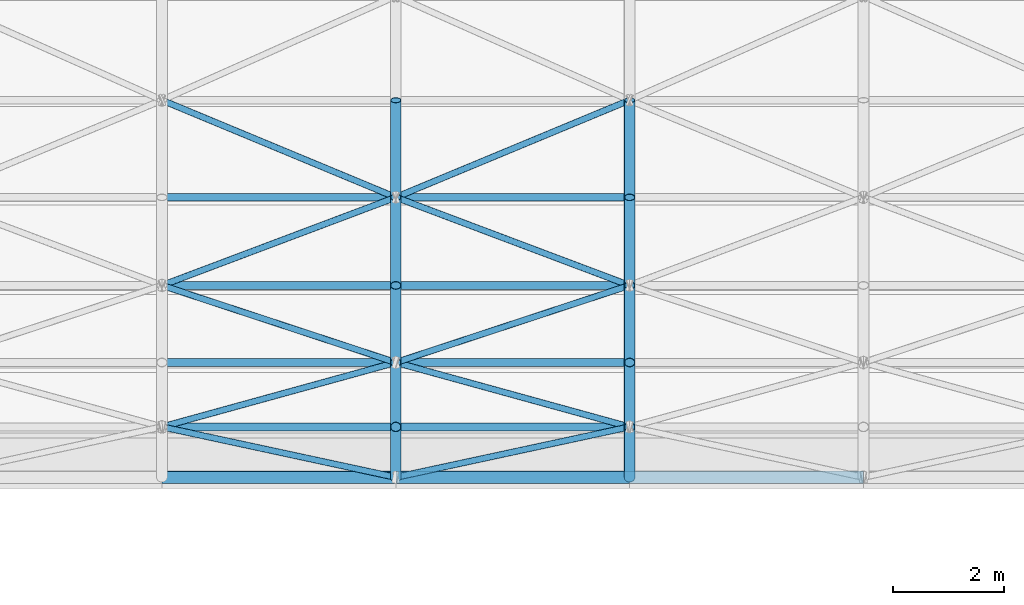
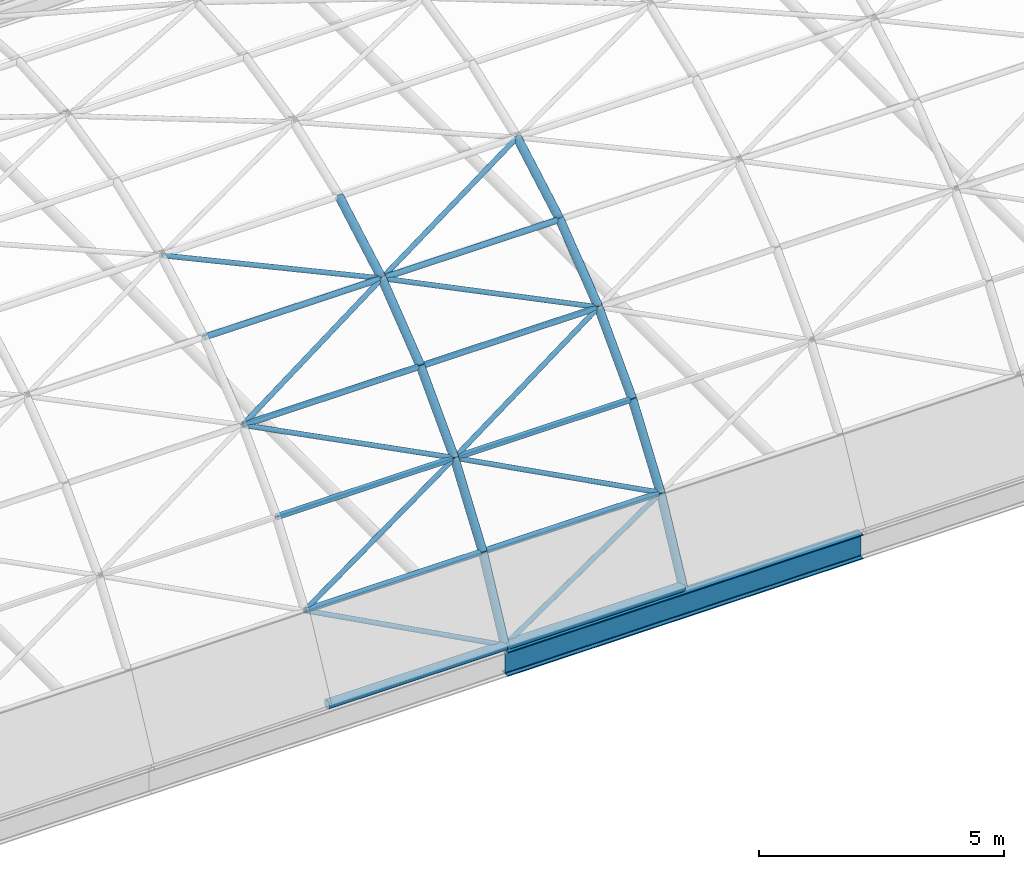
# One storey, part 28 of 121: 30 members, 1 beam.
"""IFC4 building model written with IfcOpenShell, lengths in metres."""

from ifc_helpers import new_model, si_unit, direction, frame, origin, origin_2d, place, context, subcontext, project, spatial, hollow_circle, i_section, extrude, material, material_profile, profile_set, type_object, element, save


model = new_model("IFC4")

# Units and contexts
model_context = context("Model", 3, precision=1e-05, world=origin(), true_north=direction((0.0, 1.0)))
body_context = subcontext(model_context, "Body", "Model", "MODEL_VIEW")
ifc_project = project(units=[si_unit("LENGTHUNIT", "METRE"), si_unit("AREAUNIT", "SQUARE_METRE"), si_unit("VOLUMEUNIT", "CUBIC_METRE"), si_unit("PLANEANGLEUNIT", "RADIAN"), si_unit("MASSUNIT", "GRAM", prefix="KILO")], contexts=[model_context])

# Site, building, storey
site_placement = place(None, origin())
site = spatial("IfcSite", under=ifc_project, at=site_placement, CompositionType="ELEMENT")
building_placement = place(site_placement, origin())
building = spatial("IfcBuilding", under=site, at=building_placement, Name="Ardhachandra Cancer Care Centre", CompositionType="ELEMENT")
storey_placement = place(building_placement, frame((0.0, 0.0, 9.0)))
storey = spatial("IfcBuildingStorey", under=building, at=storey_placement, Name="L02", CompositionType="ELEMENT", Elevation=9.0)

# Beam
ifc_material_1 = material(Name="Steel E350 (IS 2062)", Category="steel")
ifc_material_profile_1 = material_profile(ifc_material_1, i_section(OverallWidth=0.22412109375, OverallDepth=0.610107421875, WebThickness=0.014892578125, FlangeThickness=0.02392578125, FilletRadius=0.02392578125, at=origin_2d()), Name="NPB 600x220x154.46")
ifc_profile_set_1 = profile_set([ifc_material_profile_1], Name="Steel E350 (IS 2062)")
beam_type = type_object("IfcBeamType", Name="Beam NPB 600x220x154.46", PredefinedType="BEAM", material=ifc_profile_set_1)
beam_placement = place(storey_placement, frame((69.60009765625, 54.60009765625, -0.41455078125), z_axis=(1.0, 0.0, 0.0), x_axis=(0.0, 1.0, 0.0)))
element("IfcBeam", 1, at=beam_placement, inside=storey, type_object=beam_type, Name="Shell edge beam F8-F9", PredefinedType="BEAM", context=body_context, shape_type="SweptSolid", body=[
    extrude(i_section(OverallWidth=0.22412109375, OverallDepth=0.610107421875, WebThickness=0.014892578125, FlangeThickness=0.02392578125, FilletRadius=0.02392578125, at=origin_2d()), origin(), (0.0, 0.0, 1.0), 8.39990234375),
])

# Members
ifc_material_2 = material(Name="Steel E350 (IS 2062)", Category="steel")
ifc_material_profile_2 = material_profile(ifc_material_2, hollow_circle(Radius=0.05712890625, WallThickness=0.0048828125, at=origin_2d()), Name="CHS 114.3x5.0")
ifc_profile_set_2 = profile_set([ifc_material_profile_2], Name="Steel E350 (IS 2062)")
member_type_1 = type_object("IfcMemberType", Name="Hall shell Diagonal CHS 114.3x5.0", PredefinedType="BRACE", material=ifc_profile_set_2)
for number, where, z_axis, x_axis, name in (
    (2, (69.60009765625, 54.60009765625, 0.0), (-0.902482473221, 0.194408279805, 0.384357654109), (-0.21058448072, -0.97757566279, 0.0), "Hall shell diagonal 06-00"),
    (3, (65.39990234375, 55.5048828125, 1.788818359375), (0.902459289758, 0.248643166325, 0.351772378349), (-0.265620125306, 0.964077771257, 0.0), "Hall shell diagonal 05-01"),
    (4, (69.60009765625, 56.662109375, 3.426025390625), (-0.902480913611, 0.297434711705, 0.311545811784), (-0.313013014629, -0.949748836626, 0.0), "Hall shell diagonal 06-02"),
    (5, (65.39990234375, 58.04638671875, 4.8759765625), (0.902466367162, 0.33991990579, 0.26459197605), (-0.352482211607, 0.935818513656, 0.0), "Hall shell diagonal 05-03"),
    (6, (69.60009765625, 59.62841796875, 6.107421875), (-0.902477233163, 0.374965546538, 0.211980382423), (-0.3836852067, -0.923463947407, 0.0), "Hall shell diagonal 06-04"),
):
    element("IfcMember", number, at=place(storey_placement, frame(where, z_axis=z_axis, x_axis=x_axis)), inside=storey, type_object=member_type_1, Name=name, PredefinedType="BRACE", context=body_context, shape_type="SweptSolid", body=[
        extrude(hollow_circle(Radius=0.05712890625, WallThickness=0.0048828125, at=origin_2d()), origin(), (0.0, 0.0, 1.0), 4.654052734375),
    ])
member_1_placement = place(storey_placement, frame((69.60009765625, 54.60009765625, 0.0), z_axis=(0.902472740293, 0.1944174839, 0.384375851196), x_axis=(-0.210596178979, 0.977573142736, 0.0)))
element("IfcMember", 7, at=member_1_placement, inside=storey, type_object=member_type_1, Name="Hall shell diagonal 06-00", PredefinedType="BRACE", context=body_context, shape_type="SweptSolid", body=[
    extrude(hollow_circle(Radius=0.05712890625, WallThickness=0.0048828125, at=origin_2d()), origin(), (0.0, 0.0, 1.0), 4.65380859375),
])
member_2_placement = place(storey_placement, frame((73.800048828125, 55.5048828125, 1.788818359375), z_axis=(-0.902449554885, 0.24865493752, 0.351789031858), x_axis=(-0.265634476177, -0.964073817229, 0.0)))
element("IfcMember", 8, at=member_2_placement, inside=storey, type_object=member_type_1, Name="Hall shell diagonal 07-01", PredefinedType="BRACE", context=body_context, shape_type="SweptSolid", body=[
    extrude(hollow_circle(Radius=0.05712890625, WallThickness=0.0048828125, at=origin_2d()), origin(), (0.0, 0.0, 1.0), 4.654052734375),
])
for number, where, z_axis, x_axis, name in (
    (9, (69.60009765625, 56.662109375, 3.426025390625), (0.902471180552, 0.297448793451, 0.311560561605), (-0.313029427027, 0.949743427361, 0.0), "Hall shell diagonal 06-02"),
    (10, (73.800048828125, 58.04638671875, 4.8759765625), (-0.902456632882, 0.339935998435, 0.264604502485), (-0.35250015529, -0.935811754853, 0.0), "Hall shell diagonal 07-03"),
    (11, (69.60009765625, 59.62841796875, 6.107421875), (0.902467499795, 0.374983298758, 0.211990418338), (-0.383704226466, 0.923456044754, 0.0), "Hall shell diagonal 06-04"),
):
    element("IfcMember", number, at=place(storey_placement, frame(where, z_axis=z_axis, x_axis=x_axis)), inside=storey, type_object=member_type_1, Name=name, PredefinedType="BRACE", context=body_context, shape_type="SweptSolid", body=[
        extrude(hollow_circle(Radius=0.05712890625, WallThickness=0.0048828125, at=origin_2d()), origin(), (0.0, 0.0, 1.0), 4.65380859375),
    ])
ifc_material_3 = material(Name="Steel E350 (IS 2062)", Category="steel")
ifc_material_profile_3 = material_profile(ifc_material_3, hollow_circle(Radius=0.06982421875, WallThickness=0.0048828125, at=origin_2d()), Name="CHS 139.7x5.0")
ifc_profile_set_3 = profile_set([ifc_material_profile_3], Name="Steel E350 (IS 2062)")
member_type_2 = type_object("IfcMemberType", Name="Hall shell Purlin CHS 139.7x5.0", PredefinedType="PURLIN", material=ifc_profile_set_3)
member_3_placement = place(storey_placement, frame((65.39990234375, 55.5048828125, 1.788818359375), z_axis=(1.0, 0.0, 0.0), x_axis=(0.0, 1.0, 0.0)))
element("IfcMember", 12, at=member_3_placement, inside=storey, type_object=member_type_2, Name="Hall shell purlin 05-01", PredefinedType="PURLIN", context=body_context, shape_type="SweptSolid", body=[
    extrude(hollow_circle(Radius=0.06982421875, WallThickness=0.0048828125, at=origin_2d()), origin(), (0.0, 0.0, 1.0), 4.2001953125),
])
member_4_placement = place(storey_placement, frame((69.60009765625, 55.5048828125, 1.788818359375), z_axis=(1.0, 0.0, 0.0), x_axis=(0.0, 1.0, 0.0)))
element("IfcMember", 13, at=member_4_placement, inside=storey, type_object=member_type_2, Name="Hall shell purlin 06-01", PredefinedType="PURLIN", context=body_context, shape_type="SweptSolid", body=[
    extrude(hollow_circle(Radius=0.06982421875, WallThickness=0.0048828125, at=origin_2d()), origin(), (0.0, 0.0, 1.0), 4.199951171875),
])
member_5_placement = place(storey_placement, frame((65.39990234375, 56.662109375, 3.426025390625), z_axis=(1.0, 0.0, 0.0), x_axis=(0.0, 1.0, 0.0)))
element("IfcMember", 14, at=member_5_placement, inside=storey, type_object=member_type_2, Name="Hall shell purlin 05-02", PredefinedType="PURLIN", context=body_context, shape_type="SweptSolid", body=[
    extrude(hollow_circle(Radius=0.06982421875, WallThickness=0.0048828125, at=origin_2d()), origin(), (0.0, 0.0, 1.0), 4.2001953125),
])
member_6_placement = place(storey_placement, frame((69.60009765625, 56.662109375, 3.426025390625), z_axis=(1.0, 0.0, 0.0), x_axis=(0.0, 1.0, 0.0)))
element("IfcMember", 15, at=member_6_placement, inside=storey, type_object=member_type_2, Name="Hall shell purlin 06-02", PredefinedType="PURLIN", context=body_context, shape_type="SweptSolid", body=[
    extrude(hollow_circle(Radius=0.06982421875, WallThickness=0.0048828125, at=origin_2d()), origin(), (0.0, 0.0, 1.0), 4.199951171875),
])
member_7_placement = place(storey_placement, frame((65.39990234375, 58.04638671875, 4.8759765625), z_axis=(1.0, 0.0, 0.0), x_axis=(0.0, 1.0, 0.0)))
element("IfcMember", 16, at=member_7_placement, inside=storey, type_object=member_type_2, Name="Hall shell purlin 05-03", PredefinedType="PURLIN", context=body_context, shape_type="SweptSolid", body=[
    extrude(hollow_circle(Radius=0.06982421875, WallThickness=0.0048828125, at=origin_2d()), origin(), (0.0, 0.0, 1.0), 4.2001953125),
])
member_8_placement = place(storey_placement, frame((69.60009765625, 58.04638671875, 4.8759765625), z_axis=(1.0, 0.0, 0.0), x_axis=(0.0, 1.0, 0.0)))
element("IfcMember", 17, at=member_8_placement, inside=storey, type_object=member_type_2, Name="Hall shell purlin 06-03", PredefinedType="PURLIN", context=body_context, shape_type="SweptSolid", body=[
    extrude(hollow_circle(Radius=0.06982421875, WallThickness=0.0048828125, at=origin_2d()), origin(), (0.0, 0.0, 1.0), 4.199951171875),
])
member_9_placement = place(storey_placement, frame((65.39990234375, 59.62841796875, 6.107421875), z_axis=(1.0, 0.0, 0.0), x_axis=(0.0, 1.0, 0.0)))
element("IfcMember", 18, at=member_9_placement, inside=storey, type_object=member_type_2, Name="Hall shell purlin 05-04", PredefinedType="PURLIN", context=body_context, shape_type="SweptSolid", body=[
    extrude(hollow_circle(Radius=0.06982421875, WallThickness=0.0048828125, at=origin_2d()), origin(), (0.0, 0.0, 1.0), 4.2001953125),
])
member_10_placement = place(storey_placement, frame((69.60009765625, 59.62841796875, 6.107421875), z_axis=(1.0, 0.0, 0.0), x_axis=(0.0, 1.0, 0.0)))
element("IfcMember", 19, at=member_10_placement, inside=storey, type_object=member_type_2, Name="Hall shell purlin 06-04", PredefinedType="PURLIN", context=body_context, shape_type="SweptSolid", body=[
    extrude(hollow_circle(Radius=0.06982421875, WallThickness=0.0048828125, at=origin_2d()), origin(), (0.0, 0.0, 1.0), 4.199951171875),
])
ifc_material_4 = material(Name="Steel E350 (IS 2062)", Category="steel")
ifc_material_profile_4 = material_profile(ifc_material_4, hollow_circle(Radius=0.109619140625, WallThickness=0.008056640625, at=origin_2d()), Name="CHS 219.1x8.0")
ifc_profile_set_4 = profile_set([ifc_material_profile_4], Name="Steel E350 (IS 2062)")
member_type_3 = type_object("IfcMemberType", Name="Hall shell Purlin CHS 219.1x8.0", PredefinedType="PURLIN", material=ifc_profile_set_4)
member_11_placement = place(storey_placement, frame((65.39990234375, 54.60009765625, 0.0), z_axis=(1.0, 0.0, 0.0), x_axis=(0.0, 1.0, 0.0)))
element("IfcMember", 20, at=member_11_placement, inside=storey, type_object=member_type_3, Name="Hall shell purlin 05-00", PredefinedType="PURLIN", context=body_context, shape_type="SweptSolid", body=[
    extrude(hollow_circle(Radius=0.109619140625, WallThickness=0.008056640625, at=origin_2d()), origin(), (0.0, 0.0, 1.0), 4.2001953125),
])
member_12_placement = place(storey_placement, frame((69.60009765625, 54.60009765625, 0.0), z_axis=(1.0, 0.0, 0.0), x_axis=(0.0, 1.0, 0.0)))
element("IfcMember", 21, at=member_12_placement, inside=storey, type_object=member_type_3, Name="Hall shell purlin 06-00", PredefinedType="PURLIN", context=body_context, shape_type="SweptSolid", body=[
    extrude(hollow_circle(Radius=0.109619140625, WallThickness=0.008056640625, at=origin_2d()), origin(), (0.0, 0.0, 1.0), 4.199951171875),
])
ifc_material_5 = material(Name="Steel E350 (IS 2062)", Category="steel")
ifc_material_profile_5 = material_profile(ifc_material_5, hollow_circle(Radius=0.096923828125, WallThickness=0.008056640625, at=origin_2d()), Name="CHS 193.7x8.0")
ifc_profile_set_5 = profile_set([ifc_material_profile_5], Name="Steel E350 (IS 2062)")
member_type_4 = type_object("IfcMemberType", Name="Hall shell Rib CHS 193.7x8.0", PredefinedType="RAFTER", material=ifc_profile_set_5)
member_13_placement = place(storey_placement, frame((69.60009765625, 54.60009765625, 0.0), z_axis=(0.0, 0.451349625156, 0.89234719469), x_axis=(-1.0, 0.0, 0.0)))
element("IfcMember", 22, at=member_13_placement, inside=storey, type_object=member_type_4, Name="Hall shell rib 06-00", PredefinedType="RAFTER", context=body_context, shape_type="SweptSolid", body=[
    extrude(hollow_circle(Radius=0.096923828125, WallThickness=0.008056640625, at=origin_2d()), origin(), (0.0, 0.0, 1.0), 2.004638671875),
])
member_14_placement = place(storey_placement, frame((69.60009765625, 55.5048828125, 1.788818359375), z_axis=(0.0, 0.577199418325, 0.816603227697), x_axis=(-1.0, 0.0, 0.0)))
element("IfcMember", 23, at=member_14_placement, inside=storey, type_object=member_type_4, Name="Hall shell rib 06-01", PredefinedType="RAFTER", context=body_context, shape_type="SweptSolid", body=[
    extrude(hollow_circle(Radius=0.096923828125, WallThickness=0.008056640625, at=origin_2d()), origin(), (0.0, 0.0, 1.0), 2.0048828125),
])
member_15_placement = place(storey_placement, frame((69.60009765625, 56.662109375, 3.426025390625), z_axis=(0.0, 0.690536572288, 0.723297478451), x_axis=(-1.0, 0.0, 0.0)))
element("IfcMember", 24, at=member_15_placement, inside=storey, type_object=member_type_4, Name="Hall shell rib 06-02", PredefinedType="RAFTER", context=body_context, shape_type="SweptSolid", body=[
    extrude(hollow_circle(Radius=0.096923828125, WallThickness=0.008056640625, at=origin_2d()), origin(), (0.0, 0.0, 1.0), 2.004638671875),
])
member_16_placement = place(storey_placement, frame((69.60009765625, 58.04638671875, 4.8759765625), z_axis=(0.0, 0.789116098656, 0.614244074324), x_axis=(-1.0, 0.0, 0.0)))
element("IfcMember", 25, at=member_16_placement, inside=storey, type_object=member_type_4, Name="Hall shell rib 06-03", PredefinedType="RAFTER", context=body_context, shape_type="SweptSolid", body=[
    extrude(hollow_circle(Radius=0.096923828125, WallThickness=0.008056640625, at=origin_2d()), origin(), (0.0, 0.0, 1.0), 2.0048828125),
])
for number, where, z_axis, x_axis, name in (
    (26, (69.60009765625, 59.62841796875, 6.107421875), (0.0, 0.870519739515, 0.492133501312), (-1.0, 0.0, 0.0), "Hall shell rib 06-04"),
    (27, (73.800048828125, 54.60009765625, 0.0), (0.0, 0.451349625156, 0.89234719469), (-1.0, 0.0, 0.0), "Hall shell rib 07-00"),
):
    element("IfcMember", number, at=place(storey_placement, frame(where, z_axis=z_axis, x_axis=x_axis)), inside=storey, type_object=member_type_4, Name=name, PredefinedType="RAFTER", context=body_context, shape_type="SweptSolid", body=[
        extrude(hollow_circle(Radius=0.096923828125, WallThickness=0.008056640625, at=origin_2d()), origin(), (0.0, 0.0, 1.0), 2.004638671875),
    ])
member_17_placement = place(storey_placement, frame((73.800048828125, 55.5048828125, 1.788818359375), z_axis=(0.0, 0.577199418325, 0.816603227697), x_axis=(-1.0, 0.0, 0.0)))
element("IfcMember", 28, at=member_17_placement, inside=storey, type_object=member_type_4, Name="Hall shell rib 07-01", PredefinedType="RAFTER", context=body_context, shape_type="SweptSolid", body=[
    extrude(hollow_circle(Radius=0.096923828125, WallThickness=0.008056640625, at=origin_2d()), origin(), (0.0, 0.0, 1.0), 2.0048828125),
])
member_18_placement = place(storey_placement, frame((73.800048828125, 56.662109375, 3.426025390625), z_axis=(0.0, 0.690536572288, 0.723297478451), x_axis=(-1.0, 0.0, 0.0)))
element("IfcMember", 29, at=member_18_placement, inside=storey, type_object=member_type_4, Name="Hall shell rib 07-02", PredefinedType="RAFTER", context=body_context, shape_type="SweptSolid", body=[
    extrude(hollow_circle(Radius=0.096923828125, WallThickness=0.008056640625, at=origin_2d()), origin(), (0.0, 0.0, 1.0), 2.004638671875),
])
member_19_placement = place(storey_placement, frame((73.800048828125, 58.04638671875, 4.8759765625), z_axis=(0.0, 0.789116098656, 0.614244074324), x_axis=(-1.0, 0.0, 0.0)))
element("IfcMember", 30, at=member_19_placement, inside=storey, type_object=member_type_4, Name="Hall shell rib 07-03", PredefinedType="RAFTER", context=body_context, shape_type="SweptSolid", body=[
    extrude(hollow_circle(Radius=0.096923828125, WallThickness=0.008056640625, at=origin_2d()), origin(), (0.0, 0.0, 1.0), 2.0048828125),
])
member_20_placement = place(storey_placement, frame((73.800048828125, 59.62841796875, 6.107421875), z_axis=(0.0, 0.870519739515, 0.492133501312), x_axis=(-1.0, 0.0, 0.0)))
element("IfcMember", 31, at=member_20_placement, inside=storey, type_object=member_type_4, Name="Hall shell rib 07-04", PredefinedType="RAFTER", context=body_context, shape_type="SweptSolid", body=[
    extrude(hollow_circle(Radius=0.096923828125, WallThickness=0.008056640625, at=origin_2d()), origin(), (0.0, 0.0, 1.0), 2.004638671875),
])

save(model, "model.ifc")
